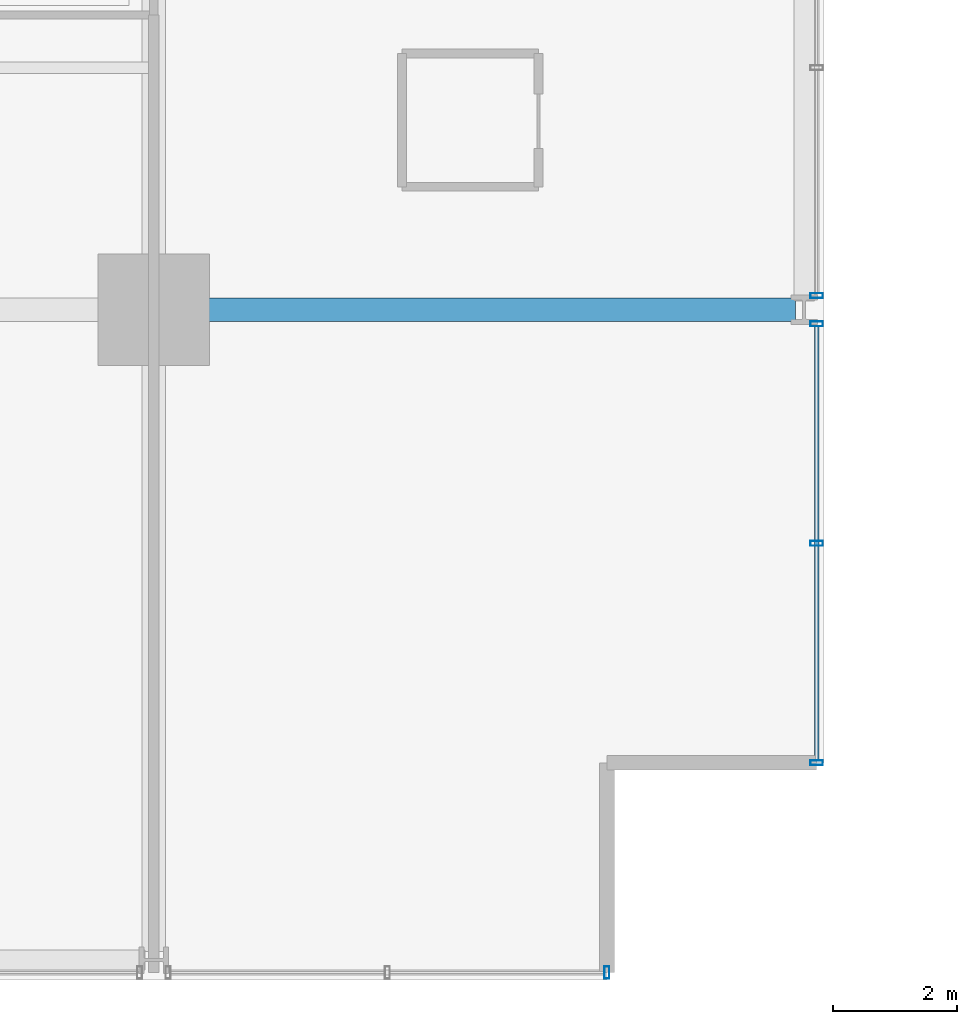
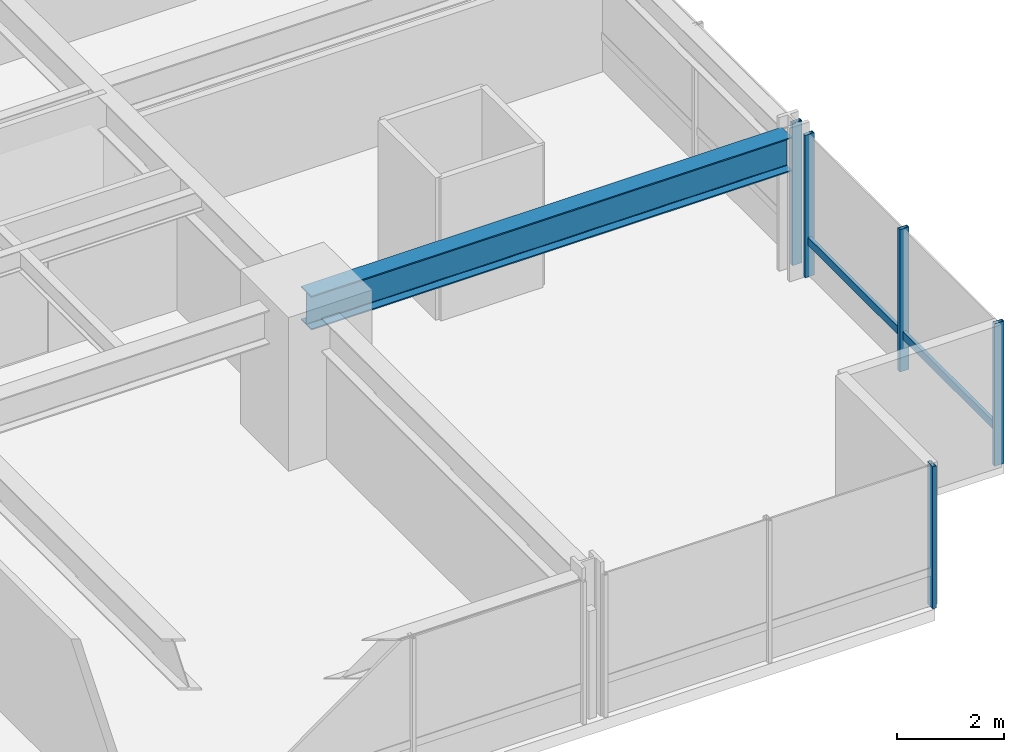
# One storey, part 13 of 38: 6 members, 1 beam, 3 elements without a shape of their own.
"""IFC4 building model written with IfcOpenShell, lengths in metres."""

from ifc_helpers import new_model, si_unit, direction, frame, origin, origin_2d, place, context, subcontext, project, spatial, hollow_rectangle, i_section, extrude, material, layer, layer_set, material_profile, profile_set, type_object, element, aggregate, save


model = new_model("IFC4")

# Units and contexts
model_context = context("Model", 3, precision=1e-05, world=origin(), true_north=direction((0.0, 1.0)))
body_context = subcontext(model_context, "Body", "Model", "MODEL_VIEW")
ifc_project = project(units=[si_unit("LENGTHUNIT", "METRE"), si_unit("AREAUNIT", "SQUARE_METRE"), si_unit("VOLUMEUNIT", "CUBIC_METRE"), si_unit("PLANEANGLEUNIT", "RADIAN"), si_unit("MASSUNIT", "GRAM", prefix="KILO")], contexts=[model_context])

# Site, building, storey
site_placement = place(None, origin())
site = spatial("IfcSite", under=ifc_project, at=site_placement, CompositionType="ELEMENT")
building_placement = place(site_placement, origin())
building = spatial("IfcBuilding", under=site, at=building_placement, Name="Drelvath Grand Hotel", CompositionType="ELEMENT")
storey_placement = place(building_placement, frame((0.0, 0.0, 71.699951171875)))
storey = spatial("IfcBuildingStorey", under=building, at=storey_placement, Name="L17", CompositionType="ELEMENT", Elevation=71.699951171875)

# Curtain wall, members
ifc_material_1 = material(Name="Warm Bronze Anodised Aluminium Frame", Category="aluminium")
ifc_layer = layer(ifc_material_1, 0.199951171875)
ifc_layer_set = layer_set([ifc_layer], Name="Warm Bronze Anodised Aluminium Frame")
curtain_wall_type = type_object("IfcCurtainWallType", Name="Stick Curtain Wall CW-02 Warm Bronze Low-Rise", PredefinedType="NOTDEFINED", material=ifc_layer_set)
curtain_wall_1_placement = place(storey_placement, origin())
curtain_wall_1 = element("IfcCurtainWall", 1, at=curtain_wall_1_placement, inside=storey, type_object=curtain_wall_type, Name="L17 CW-02 Curtain Wall CW02-L17-ES1", PredefinedType="NOTDEFINED")
ifc_material_profile_1 = material_profile(ifc_material_1, hollow_rectangle(XDim=0.074951171875, YDim=0.179931640625, WallThickness=0.0048828125, at=origin_2d()), Name="HSS180X75X5")
ifc_profile_set_1 = profile_set([ifc_material_profile_1], Name="Warm Bronze Anodised Aluminium Frame")
member_type_1 = type_object("IfcMemberType", Name="Curtain Wall Horizontal Transom CW-02 HSS180X75X5", PredefinedType="USERDEFINED", material=ifc_profile_set_1)
member_1_placement = place(storey_placement, frame((26.8798828125, 10.531005859375, 0.81005859375), z_axis=(0.0, -1.0, 0.0), x_axis=(1.0, 0.0, 0.0)))
member_1 = element("IfcMember", 2, at=member_1_placement, type_object=member_type_1, Name="CW02-L17-ES1 Sill Transom", ObjectType="TRANSOM", PredefinedType="USERDEFINED", context=body_context, shape_type="SweptSolid", body=[
    extrude(hollow_rectangle(XDim=0.074951171875, YDim=0.179931640625, WallThickness=0.0048828125, at=origin_2d()), origin(), (0.0, 0.0, 1.0), 6.990966796875),
])
ifc_material_profile_2 = material_profile(ifc_material_1, hollow_rectangle(XDim=0.080078125, YDim=0.199951171875, WallThickness=0.0048828125, at=origin_2d()), Name="HSS200X80X5")
ifc_profile_set_2 = profile_set([ifc_material_profile_2], Name="Warm Bronze Anodised Aluminium Frame")
member_type_2 = type_object("IfcMemberType", Name="Curtain Wall Vertical Mullion CW-02 HSS200X80X5", PredefinedType="MULLION", material=ifc_profile_set_2)
member_2_placement = place(storey_placement, frame((26.8798828125, 10.57080078125, 0.0), z_axis=(0.0, 0.0, 1.0), x_axis=(0.0, 1.0, 0.0)))
member_2 = element("IfcMember", 3, at=member_2_placement, type_object=member_type_2, Name="CW02-L17-ES1 Mullion 1", PredefinedType="MULLION", context=body_context, shape_type="SweptSolid", body=[
    extrude(hollow_rectangle(XDim=0.080078125, YDim=0.199951171875, WallThickness=0.0048828125, at=origin_2d()), origin(), (0.0, 0.0, 1.0), 3.239990234375),
])
member_3_placement = place(storey_placement, frame((26.8798828125, 7.035400390625, 0.0), z_axis=(0.0, 0.0, 1.0), x_axis=(0.0, 1.0, 0.0)))
member_3 = element("IfcMember", 4, at=member_3_placement, type_object=member_type_2, Name="CW02-L17-ES1 Mullion 2", PredefinedType="MULLION", context=body_context, shape_type="SweptSolid", body=[
    extrude(hollow_rectangle(XDim=0.080078125, YDim=0.199951171875, WallThickness=0.0048828125, at=origin_2d()), origin(), (0.0, 0.0, 1.0), 3.239990234375),
])
member_4_placement = place(storey_placement, frame((26.8798828125, 3.5, 0.0), z_axis=(0.0, 0.0, 1.0), x_axis=(0.0, 1.0, 0.0)))
member_4 = element("IfcMember", 5, at=member_4_placement, type_object=member_type_2, Name="CW02-L17-ES1 Mullion 3", PredefinedType="MULLION", context=body_context, shape_type="SweptSolid", body=[
    extrude(hollow_rectangle(XDim=0.080078125, YDim=0.199951171875, WallThickness=0.0048828125, at=origin_2d()), origin(), (0.0, 0.0, 1.0), 3.239990234375),
])
aggregate(curtain_wall_1, [member_2, member_3, member_4, member_1])

# Curtain wall, member
curtain_wall_2_placement = place(storey_placement, origin())
curtain_wall_2 = element("IfcCurtainWall", 6, at=curtain_wall_2_placement, inside=storey, type_object=curtain_wall_type, Name="L17 CW-02 Curtain Wall CW02-L17-ES2", PredefinedType="NOTDEFINED")
member_5_placement = place(storey_placement, frame((26.8798828125, 11.029052734375, 0.0), z_axis=(0.0, 0.0, 1.0), x_axis=(0.0, 1.0, 0.0)))
member_5 = element("IfcMember", 7, at=member_5_placement, type_object=member_type_2, Name="CW02-L17-ES2 Mullion 3", PredefinedType="MULLION", context=body_context, shape_type="SweptSolid", body=[
    extrude(hollow_rectangle(XDim=0.080078125, YDim=0.199951171875, WallThickness=0.0048828125, at=origin_2d()), origin(), (0.0, 0.0, 1.0), 3.239990234375),
])
aggregate(curtain_wall_2, [member_5])

curtain_wall_3_placement = place(storey_placement, origin())
curtain_wall_3 = element("IfcCurtainWall", 8, at=curtain_wall_3_placement, inside=storey, type_object=curtain_wall_type, Name="L17 CW-02 Curtain Wall CW02-L17-SE3", PredefinedType="NOTDEFINED")
member_6_placement = place(storey_placement, frame((23.5, 0.1201171875, 0.0), z_axis=(0.0, 0.0, 1.0), x_axis=(1.0, 0.0, 0.0)))
member_6 = element("IfcMember", 9, at=member_6_placement, type_object=member_type_2, Name="CW02-L17-SE3 Mullion 1", PredefinedType="MULLION", context=body_context, shape_type="SweptSolid", body=[
    extrude(hollow_rectangle(XDim=0.080078125, YDim=0.199951171875, WallThickness=0.0048828125, at=origin_2d()), origin(), (0.0, 0.0, 1.0), 3.239990234375),
])
aggregate(curtain_wall_3, [member_6])

# Beam
ifc_material_2 = material(Name="Steel ASTM A992 Gr 50", Category="steel")
ifc_material_profile_3 = material_profile(ifc_material_2, i_section(OverallWidth=0.380615234375, OverallDepth=0.773193359375, WebThickness=0.0166015625, FlangeThickness=0.027099609375, FilletRadius=0.02490234375, at=origin_2d()), Name="W30X173")
ifc_profile_set_3 = profile_set([ifc_material_profile_3], Name="Steel ASTM A992 Gr 50")
beam_type = type_object("IfcBeamType", Name="Primary Floor Girder W30X173", PredefinedType="BEAM", material=ifc_profile_set_3)
beam_placement = place(storey_placement, frame((16.199951171875, 10.800048828125, 2.853515625), z_axis=(1.0, 0.0, 0.0), x_axis=(0.0, 1.0, 0.0)))
element("IfcBeam", 10, at=beam_placement, inside=storey, type_object=beam_type, Name="L17 East Grid Girder C", PredefinedType="BEAM", context=body_context, shape_type="SweptSolid", body=[
    extrude(i_section(OverallWidth=0.380615234375, OverallDepth=0.773193359375, WebThickness=0.0166015625, FlangeThickness=0.027099609375, FilletRadius=0.02490234375, at=origin_2d()), origin(), (0.0, 0.0, 1.0), 10.340087890625),
])

save(model, "model.ifc")
